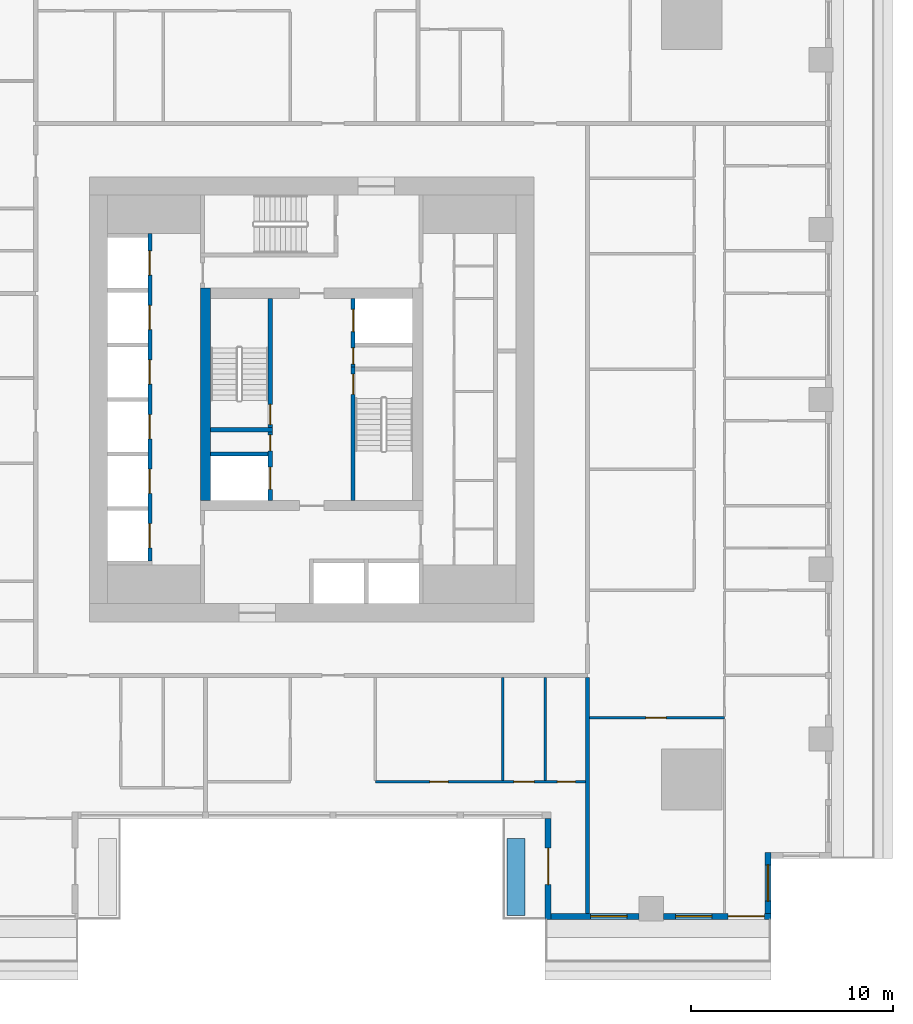
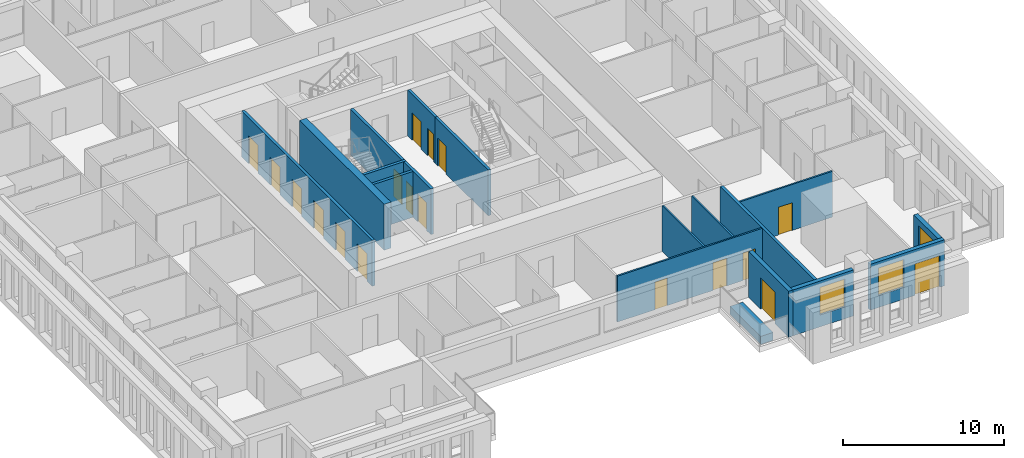
# One storey, part 4 of 15: 18 doors, 18 walls, 3 windows, 21 openings.
"""IFC4 building model written with IfcOpenShell, lengths in metres."""

import ifcopenshell
import ifcopenshell.guid

model = None  # the IFC model being written
_history = None  # IfcOwnerHistory: only IFC2X3 demands one
_inside = {}  # id of a spatial element -> (the spatial element, [elements in it])
_under = {}  # id of a project, library or spatial element -> (it, [spatial elements below it])
_declared = {}  # id of a project -> (the project, [libraries it declares])
_typed = {}  # id of a type object -> (the type object, [elements of that type])
_made_of = {}  # id of a material, layer set ... -> (it, [elements and type objects made of it])


def new_model(schema):
    """Start an empty IFC model of exactly this schema.

    Asked for "IFC4X3", IfcOpenShell would pick the latest addendum, in which some entities
    have other attributes; the version numbers below select the first issue.
    IFC2X3 requires an IfcOwnerHistory on every rooted entity: one is made here for all.
    """
    global model, _history
    if schema == "IFC4X3":
        model = ifcopenshell.file(schema_version=(4, 3, 0, 0))
    else:
        model = ifcopenshell.file(schema=schema)
    _inside.clear()
    _under.clear()
    _declared.clear()
    _typed.clear()
    _made_of.clear()
    _history = None
    if model.schema == "IFC2X3":
        org = make("IfcOrganization", Name="unknown")
        user = make(
            "IfcPersonAndOrganization",
            ThePerson=make("IfcPerson", FamilyName="unknown"),
            TheOrganization=org,
        )
        app = make(
            "IfcApplication",
            ApplicationDeveloper=org,
            Version="unknown",
            ApplicationFullName="unknown",
            ApplicationIdentifier="unknown",
        )
        _history = make(
            "IfcOwnerHistory",
            OwningUser=user,
            OwningApplication=app,
            ChangeAction="ADDED",
            CreationDate=0,
        )
    return model


def make(cls, **values):
    """One entity of the class cls with the attributes given. An attribute that is None is left unset."""
    return model.create_entity(
        cls, **{name: value for name, value in values.items() if value is not None}
    )


def rooted(cls, **values):
    """An entity with a GlobalId (a new one), such as an element, a storey or a relation."""
    return make(cls, GlobalId=ifcopenshell.guid.new(), OwnerHistory=_history, **values)


def si_unit(unit_type, name, prefix=None):
    """IfcSIUnit, for example si_unit("LENGTHUNIT", "METRE", prefix="MILLI")."""
    return make("IfcSIUnit", UnitType=unit_type, Prefix=prefix, Name=name)


def assignment(units):
    """IfcUnitAssignment: the units of a project."""
    return None if units is None else make("IfcUnitAssignment", Units=units)


def point(xyz):
    """IfcCartesianPoint."""
    return None if xyz is None else make("IfcCartesianPoint", Coordinates=xyz)


def direction(xyz):
    """IfcDirection."""
    return None if xyz is None else make("IfcDirection", DirectionRatios=xyz)


def frame(location, z_axis=None, x_axis=None):
    """IfcAxis2Placement3D, a coordinate frame: its origin and axes. An axis left out is left unset."""
    return make(
        "IfcAxis2Placement3D",
        Location=point(location),
        Axis=direction(z_axis),
        RefDirection=direction(x_axis),
    )


def frame_2d(location, x_axis=None):
    """IfcAxis2Placement2D, a coordinate frame in the plane: its origin and x axis."""
    return make(
        "IfcAxis2Placement2D", Location=point(location), RefDirection=direction(x_axis)
    )


def origin():
    """The frame at (0, 0, 0) with its axes left unset."""
    return frame((0.0, 0.0, 0.0))


def place(relative_to, where):
    """IfcLocalPlacement: puts the frame where relative to a parent placement (None: the world)."""
    return make(
        "IfcLocalPlacement", PlacementRelTo=relative_to, RelativePlacement=where
    )


def context(
    kind, dimensions, precision=None, world=None, true_north=None, identifier=None
):
    """IfcGeometricRepresentationContext, for example the 3D "Model" context."""
    return make(
        "IfcGeometricRepresentationContext",
        ContextIdentifier=identifier,
        ContextType=kind,
        CoordinateSpaceDimension=dimensions,
        Precision=precision,
        WorldCoordinateSystem=world,
        TrueNorth=true_north,
    )


def subcontext(parent, identifier, kind, view, scale=None):
    """IfcGeometricRepresentationSubContext, for example "Body" below "Model"."""
    return make(
        "IfcGeometricRepresentationSubContext",
        ContextIdentifier=identifier,
        ContextType=kind,
        ParentContext=parent,
        TargetScale=scale,
        TargetView=view,
    )


def project(units=None, contexts=None):
    """IfcProject with its units and contexts."""
    return rooted(
        "IfcProject",
        Name="project",
        RepresentationContexts=contexts,
        UnitsInContext=assignment(units),
    )


def spatial(cls, under=None, at=None, **own):
    """A site, building, storey or space (cls), placed at a placement, below another one or the project."""
    s = rooted(cls, ObjectPlacement=at, **own)
    if under is not None:
        _under.setdefault(under.id(), (under, []))[1].append(s)
    return s


def profile(cls, at=None, kind="AREA", **sizes):
    """A parametric profile (cls). Its sizes go by their IFC names, for example OverallWidth=200.0."""
    return make(cls, ProfileType=kind, Position=at, **sizes)


def rectangle(**sizes):
    """IfcRectangleProfileDef."""
    return profile("IfcRectangleProfileDef", **sizes)


def extrude(swept, where, along, depth):
    """IfcExtrudedAreaSolid: the profile swept, set in the frame where, extruded along a direction by depth."""
    return make(
        "IfcExtrudedAreaSolid",
        SweptArea=swept,
        Position=where,
        ExtrudedDirection=direction(along),
        Depth=depth,
    )


def shape(context_of_items, identifier, shape_type, items):
    """IfcShapeRepresentation: the items that make up one representation, for example the "Body"."""
    return make(
        "IfcShapeRepresentation",
        ContextOfItems=context_of_items,
        RepresentationIdentifier=identifier,
        RepresentationType=shape_type,
        Items=items,
    )


def material(Name=None, Category=None):
    """IfcMaterial."""
    return make("IfcMaterial", Name=Name, Category=Category)


def layer(
    of_material, thickness, ventilated=None, Name=None, Category=None, Priority=None
):
    """IfcMaterialLayer: one layer of a wall or slab, of a material (None: an air gap)."""
    return make(
        "IfcMaterialLayer",
        Material=of_material,
        LayerThickness=thickness,
        IsVentilated=ventilated,
        Name=Name,
        Category=Category,
        Priority=Priority,
    )


def layer_set(layers, Name=None):
    """IfcMaterialLayerSet."""
    return make("IfcMaterialLayerSet", MaterialLayers=layers, LayerSetName=Name)


def made_of(thing, what):
    """Note that an element or type object is made of a material, layer set ...; save() writes the relation."""
    if what is not None:
        _made_of.setdefault(what.id(), (what, []))[1].append(thing)
    return thing


def type_object(cls, material=None, **own):
    """A type object (cls), such as IfcWallType, which elements share."""
    return made_of(rooted(cls, **own), material)


def element(
    cls,
    number,
    at=None,
    inside=None,
    cuts=None,
    type_object=None,
    material=None,
    context=None,
    identifier="Body",
    shape_type=None,
    held_by="IfcProductDefinitionShape",
    body=None,
    shapes=None,
    **own,
):
    """One element of the class cls, such as IfcWall. Its Tag is "e" and its number.

    at: its placement. inside: the storey or other place that contains it. cuts: it is an
    opening in that element (IfcRelVoidsElement). A single representation is given by context,
    identifier, shape_type and body (its items); several are given by shapes. held_by: the class
    of the entity that holds the representations. save() writes the other relations.
    """
    e = rooted(cls, Tag="e%d" % number, ObjectPlacement=at, **own)
    if body is not None:
        shapes = [shape(context, identifier, shape_type, body)]
    if shapes is not None:
        e.Representation = make(held_by, Representations=shapes)
    if inside is not None:
        _inside.setdefault(inside.id(), (inside, []))[1].append(e)
    if cuts is not None:
        rooted(
            "IfcRelVoidsElement", RelatingBuildingElement=cuts, RelatedOpeningElement=e
        )
    if type_object is not None:
        _typed.setdefault(type_object.id(), (type_object, []))[1].append(e)
    return made_of(e, material)


def fill(opening, filler):
    """IfcRelFillsElement: the door or window that sits in an opening."""
    return rooted(
        "IfcRelFillsElement",
        RelatingOpeningElement=opening,
        RelatedBuildingElement=filler,
    )


def aggregate(whole, parts):
    """IfcRelAggregates: a whole, such as a stair, and the parts it consists of."""
    return rooted("IfcRelAggregates", RelatingObject=whole, RelatedObjects=parts)


def save(model, path):
    """Write the relations noted so far, then the file.

    IfcRelAggregates (storeys below a building ...), IfcRelContainedInSpatialStructure (elements
    in a storey), IfcRelDefinesByType, IfcRelAssociatesMaterial and IfcRelDeclares: one each for
    every whole, place, type object, material and project.
    """
    for whole, parts in _under.values():
        aggregate(whole, parts)
    for where, things in _inside.values():
        rooted(
            "IfcRelContainedInSpatialStructure",
            RelatedElements=things,
            RelatingStructure=where,
        )
    for kind, things in _typed.values():
        rooted("IfcRelDefinesByType", RelatedObjects=things, RelatingType=kind)
    for what, things in _made_of.values():
        rooted("IfcRelAssociatesMaterial", RelatedObjects=things, RelatingMaterial=what)
    for by, libraries in _declared.values():
        rooted("IfcRelDeclares", RelatingContext=by, RelatedDefinitions=libraries)
    model.write(path)


model = new_model("IFC4")

# Units and contexts
model_context = context("Model", 3, precision=1e-05, world=origin(), true_north=direction((0.0, 1.0)))
body_context = subcontext(model_context, "Body", "Model", "MODEL_VIEW")
ifc_project = project(units=[si_unit("LENGTHUNIT", "METRE"), si_unit("AREAUNIT", "SQUARE_METRE"), si_unit("VOLUMEUNIT", "CUBIC_METRE"), si_unit("PLANEANGLEUNIT", "RADIAN"), si_unit("MASSUNIT", "GRAM", prefix="KILO")], contexts=[model_context])

# Site, building, storey
site_placement = place(None, origin())
site = spatial("IfcSite", under=ifc_project, at=site_placement, CompositionType="ELEMENT")
building_placement = place(site_placement, origin())
building = spatial("IfcBuilding", under=site, at=building_placement, Name="Khepri Terraces", CompositionType="ELEMENT")
storey_placement = place(building_placement, frame((0.0, 0.0, 58.199951171875)))
storey = spatial("IfcBuildingStorey", under=building, at=storey_placement, Name="L13", CompositionType="ELEMENT", Elevation=58.199951171875)

# Wall, opening, door
ifc_material_1 = material(Name="Concrete C80/95", Category="concrete")
ifc_layer_1 = layer(ifc_material_1, 0.199951171875, Name="Concrete C80/95", Category="concrete")
ifc_layer_set_1 = layer_set([ifc_layer_1], Name="Concrete C80/95")
wall_type_1 = type_object("IfcWallType", Name="Core wall 200 C80/95", PredefinedType="SHEAR", material=ifc_layer_set_1)
wall_1_placement = place(storey_placement, frame((2.050048828125, -5.0, 0.0), z_axis=(0.0, 0.0, 1.0), x_axis=(0.0, 1.0, 0.0)))
wall_1 = element("IfcWall", 1, at=wall_1_placement, inside=storey, type_object=wall_type_1, Name="Core wall ST01 L13", PredefinedType="SHEAR", context=body_context, shape_type="SweptSolid", body=[
    extrude(rectangle(XDim=6.60009765625, YDim=0.199951171875, at=frame_2d((3.300048828125, 0.0))), origin(), (0.0, 0.0, 1.0), 3.47998046875),
])
opening_1_placement = place(wall_1_placement, frame((5.25, 0.0, 0.0)))
opening_1 = element("IfcOpeningElement", 2, at=opening_1_placement, cuts=wall_1, Name="Opening L13-C10", PredefinedType="OPENING", context=body_context, shape_type="SweptSolid", body=[
    extrude(rectangle(XDim=1.0, YDim=2.10009765625, at=frame_2d((0.5, 1.050048828125))), frame((0.0, 0.10986328125, 0.0), z_axis=(0.0, -1.0, 0.0), x_axis=(1.0, 0.0, 0.0)), (0.0, 0.0, 1.0), 0.219970703125),
])
ifc_material_2 = material(Name="Painted steel", Category="steel")
door_type_1 = type_object("IfcDoorType", Name="DR-CORE-STAIR-1000", OperationType="NOTDEFINED", PredefinedType="DOOR", material=ifc_material_2)
door_1_placement = place(opening_1_placement, frame((1.0, 0.0, 0.0), z_axis=(0.0, 0.0, 1.0), x_axis=(-1.0, 0.0, 0.0)))
door_1 = element("IfcDoor", 3, at=door_1_placement, inside=storey, type_object=door_type_1, Name="Stair door L13-C10", OperationType="SINGLE_SWING_LEFT", OverallHeight=2.10009765625, OverallWidth=1.0, PredefinedType="DOOR", context=body_context, shape_type="SweptSolid", body=[
    extrude(rectangle(XDim=1.0, YDim=2.10009765625, at=frame_2d((0.5, 1.050048828125))), frame((0.0, 0.02490234375, 0.0), z_axis=(0.0, -1.0, 0.0), x_axis=(1.0, 0.0, 0.0)), (0.0, 0.0, 1.0), 0.050048828125),
])
fill(opening_1, door_1)

# Wall
wall_2_placement = place(storey_placement, frame((-5.0, -1.5, 0.0), z_axis=(0.0, 0.0, 1.0), x_axis=(1.0, 0.0, 0.0)))
element("IfcWall", 4, at=wall_2_placement, inside=storey, type_object=wall_type_1, Name="Core wall ST02 L13", PredefinedType="SHEAR", context=body_context, shape_type="SweptSolid", body=[
    extrude(rectangle(XDim=3.050048828125, YDim=0.199951171875, at=frame_2d((1.52490234375, 0.0))), origin(), (0.0, 0.0, 1.0), 3.47998046875),
])

# Wall, opening, door
wall_3_placement = place(storey_placement, frame((-2.050048828125, -1.39990234375, 0.0), z_axis=(0.0, 0.0, 1.0), x_axis=(0.0, 1.0, 0.0)))
wall_3 = element("IfcWall", 5, at=wall_3_placement, inside=storey, type_object=wall_type_1, Name="Core wall ST03 L13", PredefinedType="SHEAR", context=body_context, shape_type="SweptSolid", body=[
    extrude(rectangle(XDim=6.39990234375, YDim=0.199951171875, at=frame_2d((3.199951171875, 0.0))), origin(), (0.0, 0.0, 1.0), 3.47998046875),
])
opening_2_placement = place(wall_3_placement, frame((0.14990234375, 0.0, 0.0)))
opening_2 = element("IfcOpeningElement", 6, at=opening_2_placement, cuts=wall_3, Name="Opening L13-C09", PredefinedType="OPENING", context=body_context, shape_type="SweptSolid", body=[
    extrude(rectangle(XDim=1.0, YDim=2.10009765625, at=frame_2d((0.5, 1.050048828125))), frame((0.0, 0.10986328125, 0.0), z_axis=(0.0, -1.0, 0.0), x_axis=(1.0, 0.0, 0.0)), (0.0, 0.0, 1.0), 0.219970703125),
])
door_2_placement = place(opening_2_placement, origin())
door_2 = element("IfcDoor", 7, at=door_2_placement, inside=storey, type_object=door_type_1, Name="Stair door L13-C09", OperationType="SINGLE_SWING_LEFT", OverallHeight=2.10009765625, OverallWidth=1.0, PredefinedType="DOOR", context=body_context, shape_type="SweptSolid", body=[
    extrude(rectangle(XDim=1.0, YDim=2.10009765625, at=frame_2d((0.5, 1.050048828125))), frame((0.0, 0.02490234375, 0.0), z_axis=(0.0, -1.0, 0.0), x_axis=(1.0, 0.0, 0.0)), (0.0, 0.0, 1.0), 0.050048828125),
])
fill(opening_2, door_2)

# Wall, openings, doors
wall_4_placement = place(storey_placement, frame((-8.0, -8.0, 0.0), z_axis=(0.0, 0.0, 1.0), x_axis=(0.0, 1.0, 0.0)))
wall_4 = element("IfcWall", 8, at=wall_4_placement, inside=storey, type_object=wall_type_1, Name="Core wall SH08 L13", PredefinedType="SHEAR", context=body_context, shape_type="SweptSolid", body=[
    extrude(rectangle(XDim=16.199951171875, YDim=0.199951171875, at=frame_2d((8.10009765625, 0.0))), origin(), (0.0, 0.0, 1.0), 3.47998046875),
])
opening_3_placement = place(wall_4_placement, frame((0.64990234375, 0.0, 0.0)))
opening_3 = element("IfcOpeningElement", 9, at=opening_3_placement, cuts=wall_4, Name="Opening L13-C01", PredefinedType="OPENING", context=body_context, shape_type="SweptSolid", body=[
    extrude(rectangle(XDim=1.199951171875, YDim=2.10009765625, at=frame_2d((0.60009765625, 1.050048828125))), frame((0.0, 0.10986328125, 0.0), z_axis=(0.0, -1.0, 0.0), x_axis=(1.0, 0.0, 0.0)), (0.0, 0.0, 1.0), 0.219970703125),
])
opening_4_placement = place(wall_4_placement, frame((3.35009765625, 0.0, 0.0)))
opening_4 = element("IfcOpeningElement", 10, at=opening_4_placement, cuts=wall_4, Name="Opening L13-C02", PredefinedType="OPENING", context=body_context, shape_type="SweptSolid", body=[
    extrude(rectangle(XDim=1.199951171875, YDim=2.10009765625, at=frame_2d((0.60009765625, 1.050048828125))), frame((0.0, 0.10986328125, 0.0), z_axis=(0.0, -1.0, 0.0), x_axis=(1.0, 0.0, 0.0)), (0.0, 0.0, 1.0), 0.219970703125),
])
opening_5_placement = place(wall_4_placement, frame((6.050048828125, 0.0, 0.0)))
opening_5 = element("IfcOpeningElement", 11, at=opening_5_placement, cuts=wall_4, Name="Opening L13-C03", PredefinedType="OPENING", context=body_context, shape_type="SweptSolid", body=[
    extrude(rectangle(XDim=1.199951171875, YDim=2.10009765625, at=frame_2d((0.60009765625, 1.050048828125))), frame((0.0, 0.10986328125, 0.0), z_axis=(0.0, -1.0, 0.0), x_axis=(1.0, 0.0, 0.0)), (0.0, 0.0, 1.0), 0.219970703125),
])
opening_6_placement = place(wall_4_placement, frame((8.75, 0.0, 0.0)))
opening_6 = element("IfcOpeningElement", 12, at=opening_6_placement, cuts=wall_4, Name="Opening L13-C04", PredefinedType="OPENING", context=body_context, shape_type="SweptSolid", body=[
    extrude(rectangle(XDim=1.199951171875, YDim=2.10009765625, at=frame_2d((0.60009765625, 1.050048828125))), frame((0.0, 0.10986328125, 0.0), z_axis=(0.0, -1.0, 0.0), x_axis=(1.0, 0.0, 0.0)), (0.0, 0.0, 1.0), 0.219970703125),
])
opening_7_placement = place(wall_4_placement, frame((11.449951171875, 0.0, 0.0)))
opening_7 = element("IfcOpeningElement", 13, at=opening_7_placement, cuts=wall_4, Name="Opening L13-C05", PredefinedType="OPENING", context=body_context, shape_type="SweptSolid", body=[
    extrude(rectangle(XDim=1.199951171875, YDim=2.10009765625, at=frame_2d((0.60009765625, 1.050048828125))), frame((0.0, 0.10986328125, 0.0), z_axis=(0.0, -1.0, 0.0), x_axis=(1.0, 0.0, 0.0)), (0.0, 0.0, 1.0), 0.219970703125),
])
opening_8_placement = place(wall_4_placement, frame((14.14990234375, 0.0, 0.0)))
opening_8 = element("IfcOpeningElement", 14, at=opening_8_placement, cuts=wall_4, Name="Opening L13-C06", PredefinedType="OPENING", context=body_context, shape_type="SweptSolid", body=[
    extrude(rectangle(XDim=1.199951171875, YDim=2.10009765625, at=frame_2d((0.60009765625, 1.050048828125))), frame((0.0, 0.10986328125, 0.0), z_axis=(0.0, -1.0, 0.0), x_axis=(1.0, 0.0, 0.0)), (0.0, 0.0, 1.0), 0.219970703125),
])
ifc_material_3 = material(Name="Stainless steel 304", Category="steel")
door_type_2 = type_object("IfcDoorType", Name="DR-CORE-LANDING-1200", OperationType="NOTDEFINED", PredefinedType="DOOR", material=ifc_material_3)
door_3_placement = place(opening_3_placement, origin())
door_3 = element("IfcDoor", 15, at=door_3_placement, inside=storey, type_object=door_type_2, Name="Lift landing door L13-C01", OperationType="SLIDING_TO_LEFT", OverallHeight=2.10009765625, OverallWidth=1.199951171875, PredefinedType="DOOR", context=body_context, shape_type="SweptSolid", body=[
    extrude(rectangle(XDim=1.199951171875, YDim=2.10009765625, at=frame_2d((0.60009765625, 1.050048828125))), frame((0.0, 0.02490234375, 0.0), z_axis=(0.0, -1.0, 0.0), x_axis=(1.0, 0.0, 0.0)), (0.0, 0.0, 1.0), 0.050048828125),
])
fill(opening_3, door_3)
door_4_placement = place(opening_4_placement, origin())
door_4 = element("IfcDoor", 16, at=door_4_placement, inside=storey, type_object=door_type_2, Name="Lift landing door L13-C02", OperationType="SLIDING_TO_LEFT", OverallHeight=2.10009765625, OverallWidth=1.199951171875, PredefinedType="DOOR", context=body_context, shape_type="SweptSolid", body=[
    extrude(rectangle(XDim=1.199951171875, YDim=2.10009765625, at=frame_2d((0.60009765625, 1.050048828125))), frame((0.0, 0.02490234375, 0.0), z_axis=(0.0, -1.0, 0.0), x_axis=(1.0, 0.0, 0.0)), (0.0, 0.0, 1.0), 0.050048828125),
])
fill(opening_4, door_4)
door_5_placement = place(opening_5_placement, origin())
door_5 = element("IfcDoor", 17, at=door_5_placement, inside=storey, type_object=door_type_2, Name="Lift landing door L13-C03", OperationType="SLIDING_TO_LEFT", OverallHeight=2.10009765625, OverallWidth=1.199951171875, PredefinedType="DOOR", context=body_context, shape_type="SweptSolid", body=[
    extrude(rectangle(XDim=1.199951171875, YDim=2.10009765625, at=frame_2d((0.60009765625, 1.050048828125))), frame((0.0, 0.02490234375, 0.0), z_axis=(0.0, -1.0, 0.0), x_axis=(1.0, 0.0, 0.0)), (0.0, 0.0, 1.0), 0.050048828125),
])
fill(opening_5, door_5)
door_6_placement = place(opening_6_placement, origin())
door_6 = element("IfcDoor", 18, at=door_6_placement, inside=storey, type_object=door_type_2, Name="Lift landing door L13-C04", OperationType="SLIDING_TO_LEFT", OverallHeight=2.10009765625, OverallWidth=1.199951171875, PredefinedType="DOOR", context=body_context, shape_type="SweptSolid", body=[
    extrude(rectangle(XDim=1.199951171875, YDim=2.10009765625, at=frame_2d((0.60009765625, 1.050048828125))), frame((0.0, 0.02490234375, 0.0), z_axis=(0.0, -1.0, 0.0), x_axis=(1.0, 0.0, 0.0)), (0.0, 0.0, 1.0), 0.050048828125),
])
fill(opening_6, door_6)
door_7_placement = place(opening_7_placement, origin())
door_7 = element("IfcDoor", 19, at=door_7_placement, inside=storey, type_object=door_type_2, Name="Lift landing door L13-C05", OperationType="SLIDING_TO_LEFT", OverallHeight=2.10009765625, OverallWidth=1.199951171875, PredefinedType="DOOR", context=body_context, shape_type="SweptSolid", body=[
    extrude(rectangle(XDim=1.199951171875, YDim=2.10009765625, at=frame_2d((0.60009765625, 1.050048828125))), frame((0.0, 0.02490234375, 0.0), z_axis=(0.0, -1.0, 0.0), x_axis=(1.0, 0.0, 0.0)), (0.0, 0.0, 1.0), 0.050048828125),
])
fill(opening_7, door_7)
door_8_placement = place(opening_8_placement, origin())
door_8 = element("IfcDoor", 20, at=door_8_placement, inside=storey, type_object=door_type_2, Name="Lift landing door L13-C06", OperationType="SLIDING_TO_LEFT", OverallHeight=2.10009765625, OverallWidth=1.199951171875, PredefinedType="DOOR", context=body_context, shape_type="SweptSolid", body=[
    extrude(rectangle(XDim=1.199951171875, YDim=2.10009765625, at=frame_2d((0.60009765625, 1.050048828125))), frame((0.0, 0.02490234375, 0.0), z_axis=(0.0, -1.0, 0.0), x_axis=(1.0, 0.0, 0.0)), (0.0, 0.0, 1.0), 0.050048828125),
])
fill(opening_8, door_8)

wall_5_placement = place(storey_placement, frame((-2.050048828125, -5.0, 0.0), z_axis=(0.0, 0.0, 1.0), x_axis=(0.0, 1.0, 0.0)))
wall_5 = element("IfcWall", 21, at=wall_5_placement, inside=storey, type_object=wall_type_1, Name="Core wall SH10 L13", PredefinedType="SHEAR", context=body_context, shape_type="SweptSolid", body=[
    extrude(rectangle(XDim=3.39990234375, YDim=0.199951171875, at=frame_2d((1.699951171875, 0.0))), origin(), (0.0, 0.0, 1.0), 3.47998046875),
])
opening_9_placement = place(wall_5_placement, frame((0.550048828125, 0.0, 0.0)))
opening_9 = element("IfcOpeningElement", 22, at=opening_9_placement, cuts=wall_5, Name="Opening L13-C08", PredefinedType="OPENING", context=body_context, shape_type="SweptSolid", body=[
    extrude(rectangle(XDim=1.10009765625, YDim=2.10009765625, at=frame_2d((0.550048828125, 1.050048828125))), frame((0.0, 0.10986328125, 0.0), z_axis=(0.0, -1.0, 0.0), x_axis=(1.0, 0.0, 0.0)), (0.0, 0.0, 1.0), 0.219970703125),
])
opening_10_placement = place(wall_5_placement, frame((2.449951171875, 0.0, 0.0)))
opening_10 = element("IfcOpeningElement", 23, at=opening_10_placement, cuts=wall_5, Name="Opening L13-C12", PredefinedType="OPENING", context=body_context, shape_type="SweptSolid", body=[
    extrude(rectangle(XDim=0.800048828125, YDim=2.10009765625, at=frame_2d((0.39990234375, 1.050048828125))), frame((0.0, 0.10986328125, 0.0), z_axis=(0.0, -1.0, 0.0), x_axis=(1.0, 0.0, 0.0)), (0.0, 0.0, 1.0), 0.219970703125),
])
door_type_3 = type_object("IfcDoorType", Name="DR-CORE-FF-LANDING-1100", OperationType="NOTDEFINED", PredefinedType="DOOR", material=ifc_material_3)
door_9_placement = place(opening_9_placement, origin())
door_9 = element("IfcDoor", 24, at=door_9_placement, inside=storey, type_object=door_type_3, Name="Firefighting lift landing door L13-C08", OperationType="SLIDING_TO_LEFT", OverallHeight=2.10009765625, OverallWidth=1.10009765625, PredefinedType="DOOR", context=body_context, shape_type="SweptSolid", body=[
    extrude(rectangle(XDim=1.10009765625, YDim=2.10009765625, at=frame_2d((0.550048828125, 1.050048828125))), frame((0.0, 0.02490234375, 0.0), z_axis=(0.0, -1.0, 0.0), x_axis=(1.0, 0.0, 0.0)), (0.0, 0.0, 1.0), 0.050048828125),
])
fill(opening_9, door_9)
door_type_4 = type_object("IfcDoorType", Name="DR-CORE-RISER-800", OperationType="NOTDEFINED", PredefinedType="DOOR", material=ifc_material_2)
door_10_placement = place(opening_10_placement, origin())
door_10 = element("IfcDoor", 25, at=door_10_placement, inside=storey, type_object=door_type_4, Name="Riser door L13-C12", OperationType="SINGLE_SWING_RIGHT", OverallHeight=2.10009765625, OverallWidth=0.800048828125, PredefinedType="DOOR", context=body_context, shape_type="SweptSolid", body=[
    extrude(rectangle(XDim=0.800048828125, YDim=2.10009765625, at=frame_2d((0.39990234375, 1.050048828125))), frame((0.0, 0.02490234375, 0.0), z_axis=(0.0, -1.0, 0.0), x_axis=(1.0, 0.0, 0.0)), (0.0, 0.0, 1.0), 0.050048828125),
])
fill(opening_10, door_10)

# Wall
wall_6_placement = place(storey_placement, frame((-5.0, -2.699951171875, 0.0), z_axis=(0.0, 0.0, 1.0), x_axis=(1.0, 0.0, 0.0)))
element("IfcWall", 26, at=wall_6_placement, inside=storey, type_object=wall_type_1, Name="Core wall SH13 L13", PredefinedType="SHEAR", context=body_context, shape_type="SweptSolid", body=[
    extrude(rectangle(XDim=2.85009765625, YDim=0.199951171875, at=frame_2d((1.425048828125, 0.0))), origin(), (0.0, 0.0, 1.0), 3.47998046875),
])

# Wall, openings, doors
wall_7_placement = place(storey_placement, frame((2.050048828125, 1.60009765625, 0.0), z_axis=(0.0, 0.0, 1.0), x_axis=(0.0, 1.0, 0.0)))
wall_7 = element("IfcWall", 27, at=wall_7_placement, inside=storey, type_object=wall_type_1, Name="Core wall SH15 L13", PredefinedType="SHEAR", context=body_context, shape_type="SweptSolid", body=[
    extrude(rectangle(XDim=3.39990234375, YDim=0.199951171875, at=frame_2d((1.699951171875, 0.0))), origin(), (0.0, 0.0, 1.0), 3.47998046875),
])
opening_11_placement = place(wall_7_placement, frame((1.75, 0.0, 0.0)))
opening_11 = element("IfcOpeningElement", 28, at=opening_11_placement, cuts=wall_7, Name="Opening L13-C07", PredefinedType="OPENING", context=body_context, shape_type="SweptSolid", body=[
    extrude(rectangle(XDim=1.10009765625, YDim=2.10009765625, at=frame_2d((0.550048828125, 1.050048828125))), frame((0.0, 0.10986328125, 0.0), z_axis=(0.0, -1.0, 0.0), x_axis=(1.0, 0.0, 0.0)), (0.0, 0.0, 1.0), 0.219970703125),
])
opening_12_placement = place(wall_7_placement, frame((0.14990234375, 0.0, 0.0)))
opening_12 = element("IfcOpeningElement", 29, at=opening_12_placement, cuts=wall_7, Name="Opening L13-C11", PredefinedType="OPENING", context=body_context, shape_type="SweptSolid", body=[
    extrude(rectangle(XDim=0.800048828125, YDim=2.10009765625, at=frame_2d((0.39990234375, 1.050048828125))), frame((0.0, 0.10986328125, 0.0), z_axis=(0.0, -1.0, 0.0), x_axis=(1.0, 0.0, 0.0)), (0.0, 0.0, 1.0), 0.219970703125),
])
door_11_placement = place(opening_11_placement, origin())
door_11 = element("IfcDoor", 30, at=door_11_placement, inside=storey, type_object=door_type_3, Name="Firefighting lift landing door L13-C07", OperationType="SLIDING_TO_LEFT", OverallHeight=2.10009765625, OverallWidth=1.10009765625, PredefinedType="DOOR", context=body_context, shape_type="SweptSolid", body=[
    extrude(rectangle(XDim=1.10009765625, YDim=2.10009765625, at=frame_2d((0.550048828125, 1.050048828125))), frame((0.0, 0.02490234375, 0.0), z_axis=(0.0, -1.0, 0.0), x_axis=(1.0, 0.0, 0.0)), (0.0, 0.0, 1.0), 0.050048828125),
])
fill(opening_11, door_11)
door_12_placement = place(opening_12_placement, frame((0.800048828125, 0.0, 0.0), z_axis=(0.0, 0.0, 1.0), x_axis=(-1.0, 0.0, 0.0)))
door_12 = element("IfcDoor", 31, at=door_12_placement, inside=storey, type_object=door_type_4, Name="Riser door L13-C11", OperationType="SINGLE_SWING_RIGHT", OverallHeight=2.10009765625, OverallWidth=0.800048828125, PredefinedType="DOOR", context=body_context, shape_type="SweptSolid", body=[
    extrude(rectangle(XDim=0.800048828125, YDim=2.10009765625, at=frame_2d((0.39990234375, 1.050048828125))), frame((0.0, 0.02490234375, 0.0), z_axis=(0.0, -1.0, 0.0), x_axis=(1.0, 0.0, 0.0)), (0.0, 0.0, 1.0), 0.050048828125),
])
fill(opening_12, door_12)

# Walls
ifc_layer_2 = layer(ifc_material_1, 0.5, Name="Concrete C80/95", Category="concrete")
ifc_layer_set_2 = layer_set([ifc_layer_2], Name="Concrete C80/95")
wall_type_2 = type_object("IfcWallType", Name="Core wall 500 C80/95", PredefinedType="SHEAR", material=ifc_layer_set_2)
wall_8_placement = place(storey_placement, frame((-5.25, -5.0, 0.0), z_axis=(0.0, 0.0, 1.0), x_axis=(0.0, 1.0, 0.0)))
element("IfcWall", 32, at=wall_8_placement, inside=storey, type_object=wall_type_2, Name="Core wall BX02 L13", PredefinedType="SHEAR", context=body_context, shape_type="SweptSolid", body=[
    extrude(rectangle(XDim=10.5, YDim=0.5, at=frame_2d((5.25, 0.0))), origin(), (0.0, 0.0, 1.0), 3.47998046875),
])
ifc_material_4 = material(Name="Fire-rated gypsum plasterboard partition, mineral wool")
ifc_layer_3 = layer(ifc_material_4, 0.199951171875, Name="Fire-rated gypsum plasterboard partition, mineral wool")
ifc_layer_set_3 = layer_set([ifc_layer_3], Name="Fire-rated gypsum plasterboard partition, mineral wool")
wall_type_3 = type_object("IfcWallType", Name="WL-CORR-200", PredefinedType="PARTITIONING", material=ifc_layer_set_3)
wall_9_placement = place(storey_placement, frame((13.64990234375, -25.419921875, 0.0), z_axis=(0.0, 0.0, 1.0), x_axis=(0.0, 1.0, 0.0)))
element("IfcWall", 33, at=wall_9_placement, inside=storey, type_object=wall_type_3, Name="Partition P-001 L13", PredefinedType="PARTITIONING", context=body_context, shape_type="SweptSolid", body=[
    extrude(rectangle(XDim=11.669921875, YDim=0.199951171875, at=frame_2d((5.8349609375, 0.0))), origin(), (0.0, 0.0, 1.0), 3.47998046875),
])

# Wall, opening, door
ifc_material_5 = material(Name="Precast concrete C50/60 warm stone", Category="masonry")
ifc_layer_4 = layer(ifc_material_5, 0.300048828125, Name="Precast concrete C50/60 warm stone", Category="masonry")
ifc_layer_set_4 = layer_set([ifc_layer_4], Name="Precast concrete C50/60 warm stone")
wall_type_4 = type_object("IfcWallType", Name="WL-EXT-PRECAST-300", PredefinedType="STANDARD", material=ifc_layer_set_4)
wall_10_placement = place(storey_placement, frame((11.699951171875, -20.719970703125, 0.0), z_axis=(0.0, 0.0, 1.0), x_axis=(0.0, -1.0, 0.0)))
wall_10 = element("IfcWall", 34, at=wall_10_placement, inside=storey, type_object=wall_type_4, Name="External wall L13 W", PredefinedType="STANDARD", context=body_context, shape_type="SweptSolid", body=[
    extrude(rectangle(XDim=5.0, YDim=0.300048828125, at=frame_2d((2.5, 0.0))), origin(), (0.0, 0.0, 1.0), 3.47998046875),
])
opening_13_placement = place(wall_10_placement, frame((1.47998046875, 0.0, 0.0)))
opening_13 = element("IfcOpeningElement", 35, at=opening_13_placement, cuts=wall_10, Name="Opening ED-L13-20", PredefinedType="OPENING", context=body_context, shape_type="SweptSolid", body=[
    extrude(rectangle(XDim=1.800048828125, YDim=2.39990234375, at=frame_2d((0.89990234375, 1.199951171875))), frame((0.0, 0.16015625, 0.0), z_axis=(0.0, -1.0, 0.0), x_axis=(1.0, 0.0, 0.0)), (0.0, 0.0, 1.0), 0.320068359375),
])
ifc_material_6 = material(Name="Anodised aluminium bronze glazed door", Category="aluminium")
door_type_5 = type_object("IfcDoorType", Name="DR-BAL-SLIDE-1800x2400", OperationType="NOTDEFINED", PredefinedType="DOOR", material=ifc_material_6)
door_13_placement = place(opening_13_placement, origin())
door_13 = element("IfcDoor", 36, at=door_13_placement, inside=storey, type_object=door_type_5, Name="Balcony door L13 W", OperationType="SLIDING_TO_RIGHT", OverallHeight=2.39990234375, OverallWidth=1.800048828125, PredefinedType="DOOR", context=body_context, shape_type="SweptSolid", body=[
    extrude(rectangle(XDim=1.800048828125, YDim=2.39990234375, at=frame_2d((0.89990234375, 1.199951171875))), frame((0.0, 0.02490234375, 0.0), z_axis=(0.0, -1.0, 0.0), x_axis=(1.0, 0.0, 0.0)), (0.0, 0.0, 1.0), 0.050048828125),
])
fill(opening_13, door_13)

# Wall, opening, window
wall_11_placement = place(storey_placement, frame((11.85009765625, -25.570068359375, 0.0), z_axis=(0.0, 0.0, 1.0), x_axis=(1.0, 0.0, 0.0)))
wall_11 = element("IfcWall", 37, at=wall_11_placement, inside=storey, type_object=wall_type_4, Name="External wall L13 S", PredefinedType="STANDARD", context=body_context, shape_type="SweptSolid", body=[
    extrude(rectangle(XDim=4.349853515625, YDim=0.300048828125, at=frame_2d((2.1748046875, 0.0))), origin(), (0.0, 0.0, 1.0), 3.47998046875),
])
opening_14_placement = place(wall_11_placement, frame((1.949951171875, 0.0, 0.89990234375)))
opening_14 = element("IfcOpeningElement", 38, at=opening_14_placement, cuts=wall_11, Name="Opening W1", PredefinedType="OPENING", context=body_context, shape_type="SweptSolid", body=[
    extrude(rectangle(XDim=1.800048828125, YDim=2.10009765625, at=frame_2d((0.89990234375, 1.050048828125))), frame((0.0, 0.16015625, 0.0), z_axis=(0.0, -1.0, 0.0), x_axis=(1.0, 0.0, 0.0)), (0.0, 0.0, 1.0), 0.320068359375),
])
ifc_material_7 = material(Name="Clear glass", Category="glass")
window_type = type_object("IfcWindowType", Name="WIN-RES-1800x2100", PartitioningType="SINGLE_PANEL", PredefinedType="WINDOW", material=ifc_material_7)
window_1_placement = place(opening_14_placement, origin())
window_1 = element("IfcWindow", 39, at=window_1_placement, inside=storey, type_object=window_type, Name="Window L13 S", OverallHeight=2.10009765625, OverallWidth=1.800048828125, PartitioningType="SINGLE_PANEL", PredefinedType="WINDOW", context=body_context, shape_type="SweptSolid", body=[
    extrude(rectangle(XDim=1.800048828125, YDim=2.10009765625, at=frame_2d((0.89990234375, 1.050048828125))), frame((0.0, 0.030029296875, 0.0), z_axis=(0.0, -1.0, 0.0), x_axis=(1.0, 0.0, 0.0)), (0.0, 0.0, 1.0), 0.06005859375),
])
fill(opening_14, window_1)

# Wall, openings, door, window
wall_12_placement = place(storey_placement, frame((17.39990234375, -25.570068359375, 0.0), z_axis=(0.0, 0.0, 1.0), x_axis=(1.0, 0.0, 0.0)))
wall_12 = element("IfcWall", 40, at=wall_12_placement, inside=storey, type_object=wall_type_4, Name="External wall L13 S", PredefinedType="STANDARD", context=body_context, shape_type="SweptSolid", body=[
    extrude(rectangle(XDim=5.320068359375, YDim=0.300048828125, at=frame_2d((2.66015625, 0.0))), origin(), (0.0, 0.0, 1.0), 3.47998046875),
])
opening_15_placement = place(wall_12_placement, frame((0.60009765625, 0.0, 0.89990234375)))
opening_15 = element("IfcOpeningElement", 41, at=opening_15_placement, cuts=wall_12, Name="Opening W1", PredefinedType="OPENING", context=body_context, shape_type="SweptSolid", body=[
    extrude(rectangle(XDim=1.800048828125, YDim=2.10009765625, at=frame_2d((0.89990234375, 1.050048828125))), frame((0.0, 0.16015625, 0.0), z_axis=(0.0, -1.0, 0.0), x_axis=(1.0, 0.0, 0.0)), (0.0, 0.0, 1.0), 0.320068359375),
])
opening_16_placement = place(wall_12_placement, frame((3.195068359375, 0.0, 0.0)))
opening_16 = element("IfcOpeningElement", 42, at=opening_16_placement, cuts=wall_12, Name="Opening ED-L13-21", PredefinedType="OPENING", context=body_context, shape_type="SweptSolid", body=[
    extrude(rectangle(XDim=1.800048828125, YDim=2.39990234375, at=frame_2d((0.89990234375, 1.199951171875))), frame((0.0, 0.16015625, 0.0), z_axis=(0.0, -1.0, 0.0), x_axis=(1.0, 0.0, 0.0)), (0.0, 0.0, 1.0), 0.320068359375),
])
door_14_placement = place(opening_16_placement, origin())
door_14 = element("IfcDoor", 43, at=door_14_placement, inside=storey, type_object=door_type_5, Name="Balcony door L13 S", OperationType="SLIDING_TO_RIGHT", OverallHeight=2.39990234375, OverallWidth=1.800048828125, PredefinedType="DOOR", context=body_context, shape_type="SweptSolid", body=[
    extrude(rectangle(XDim=1.800048828125, YDim=2.39990234375, at=frame_2d((0.89990234375, 1.199951171875))), frame((0.0, 0.02490234375, 0.0), z_axis=(0.0, -1.0, 0.0), x_axis=(1.0, 0.0, 0.0)), (0.0, 0.0, 1.0), 0.050048828125),
])
fill(opening_16, door_14)
window_2_placement = place(opening_15_placement, origin())
window_2 = element("IfcWindow", 44, at=window_2_placement, inside=storey, type_object=window_type, Name="Window L13 S", OverallHeight=2.10009765625, OverallWidth=1.800048828125, PartitioningType="SINGLE_PANEL", PredefinedType="WINDOW", context=body_context, shape_type="SweptSolid", body=[
    extrude(rectangle(XDim=1.800048828125, YDim=2.10009765625, at=frame_2d((0.89990234375, 1.050048828125))), frame((0.0, 0.030029296875, 0.0), z_axis=(0.0, -1.0, 0.0), x_axis=(1.0, 0.0, 0.0)), (0.0, 0.0, 1.0), 0.06005859375),
])
fill(opening_15, window_2)

# Wall, opening, window
wall_13_placement = place(storey_placement, frame((22.570068359375, -25.419921875, 0.0), z_axis=(0.0, 0.0, 1.0), x_axis=(0.0, 1.0, 0.0)))
wall_13 = element("IfcWall", 45, at=wall_13_placement, inside=storey, type_object=wall_type_4, Name="External wall L13 E", PredefinedType="STANDARD", context=body_context, shape_type="SweptSolid", body=[
    extrude(rectangle(XDim=3.0, YDim=0.300048828125, at=frame_2d((1.5, 0.0))), origin(), (0.0, 0.0, 1.0), 3.47998046875),
])
opening_17_placement = place(wall_13_placement, frame((0.60009765625, 0.0, 0.89990234375)))
opening_17 = element("IfcOpeningElement", 46, at=opening_17_placement, cuts=wall_13, Name="Opening W1", PredefinedType="OPENING", context=body_context, shape_type="SweptSolid", body=[
    extrude(rectangle(XDim=1.800048828125, YDim=2.10009765625, at=frame_2d((0.89990234375, 1.050048828125))), frame((0.0, 0.16015625, 0.0), z_axis=(0.0, -1.0, 0.0), x_axis=(1.0, 0.0, 0.0)), (0.0, 0.0, 1.0), 0.320068359375),
])
window_3_placement = place(opening_17_placement, origin())
window_3 = element("IfcWindow", 47, at=window_3_placement, inside=storey, type_object=window_type, Name="Window L13 E", OverallHeight=2.10009765625, OverallWidth=1.800048828125, PartitioningType="SINGLE_PANEL", PredefinedType="WINDOW", context=body_context, shape_type="SweptSolid", body=[
    extrude(rectangle(XDim=1.800048828125, YDim=2.10009765625, at=frame_2d((0.89990234375, 1.050048828125))), frame((0.0, 0.030029296875, 0.0), z_axis=(0.0, -1.0, 0.0), x_axis=(1.0, 0.0, 0.0)), (0.0, 0.0, 1.0), 0.06005859375),
])
fill(opening_17, window_3)

# Wall, openings, doors
ifc_material_8 = material(Name="Gypsum plasterboard partition")
ifc_layer_5 = layer(ifc_material_8, 0.1201171875, Name="Gypsum plasterboard partition")
ifc_layer_set_5 = layer_set([ifc_layer_5], Name="Gypsum plasterboard partition")
wall_type_5 = type_object("IfcWallType", Name="WL-PART-120", PredefinedType="PARTITIONING", material=ifc_layer_set_5)
wall_14_placement = place(storey_placement, frame((3.14990234375, -18.919921875, 0.0), z_axis=(0.0, 0.0, 1.0), x_axis=(1.0, 0.0, 0.0)))
wall_14 = element("IfcWall", 48, at=wall_14_placement, inside=storey, type_object=wall_type_5, Name="Partition P-011 L13", PredefinedType="PARTITIONING", context=body_context, shape_type="SweptSolid", body=[
    extrude(rectangle(XDim=10.400146484375, YDim=0.1201171875, at=frame_2d((5.2001953125, 0.0))), origin(), (0.0, 0.0, 1.0), 3.47998046875),
])
opening_18_placement = place(wall_14_placement, frame((2.699951171875, 0.0, 0.0)))
opening_18 = element("IfcOpeningElement", 49, at=opening_18_placement, cuts=wall_14, Name="Opening D3", PredefinedType="OPENING", context=body_context, shape_type="SweptSolid", body=[
    extrude(rectangle(XDim=0.89990234375, YDim=2.10009765625, at=frame_2d((0.449951171875, 1.050048828125))), frame((0.0, 0.070068359375, 0.0), z_axis=(0.0, -1.0, 0.0), x_axis=(1.0, 0.0, 0.0)), (0.0, 0.0, 1.0), 0.14013671875),
])
opening_19_placement = place(wall_14_placement, frame((6.85009765625, 0.0, 0.0)))
opening_19 = element("IfcOpeningElement", 50, at=opening_19_placement, cuts=wall_14, Name="Opening D2", PredefinedType="OPENING", context=body_context, shape_type="SweptSolid", body=[
    extrude(rectangle(XDim=1.0, YDim=2.10009765625, at=frame_2d((0.5, 1.050048828125))), frame((0.0, 0.070068359375, 0.0), z_axis=(0.0, -1.0, 0.0), x_axis=(1.0, 0.0, 0.0)), (0.0, 0.0, 1.0), 0.14013671875),
])
opening_20_placement = place(wall_14_placement, frame((9.0, 0.0, 0.0)))
opening_20 = element("IfcOpeningElement", 51, at=opening_20_placement, cuts=wall_14, Name="Opening D4", PredefinedType="OPENING", context=body_context, shape_type="SweptSolid", body=[
    extrude(rectangle(XDim=0.89990234375, YDim=2.10009765625, at=frame_2d((0.449951171875, 1.050048828125))), frame((0.0, 0.070068359375, 0.0), z_axis=(0.0, -1.0, 0.0), x_axis=(1.0, 0.0, 0.0)), (0.0, 0.0, 1.0), 0.14013671875),
])
ifc_material_9 = material(Name="Timber door leaf, living room door", Category="wood")
door_type_6 = type_object("IfcDoorType", Name="DR-INT-1000", OperationType="NOTDEFINED", PredefinedType="DOOR", material=ifc_material_9)
door_15_placement = place(opening_19_placement, origin())
door_15 = element("IfcDoor", 52, at=door_15_placement, inside=storey, type_object=door_type_6, Name="Door Family Room", OperationType="SINGLE_SWING_RIGHT", OverallHeight=2.10009765625, OverallWidth=1.0, PredefinedType="DOOR", context=body_context, shape_type="SweptSolid", body=[
    extrude(rectangle(XDim=1.0, YDim=2.10009765625, at=frame_2d((0.5, 1.050048828125))), frame((0.0, 0.02490234375, 0.0), z_axis=(0.0, -1.0, 0.0), x_axis=(1.0, 0.0, 0.0)), (0.0, 0.0, 1.0), 0.050048828125),
])
fill(opening_19, door_15)
ifc_material_10 = material(Name="Timber door leaf", Category="wood")
door_type_7 = type_object("IfcDoorType", Name="DR-INT-900", OperationType="NOTDEFINED", PredefinedType="DOOR", material=ifc_material_10)
door_16_placement = place(opening_18_placement, origin())
door_16 = element("IfcDoor", 53, at=door_16_placement, inside=storey, type_object=door_type_7, Name="Door Kitchen", OperationType="SINGLE_SWING_LEFT", OverallHeight=2.10009765625, OverallWidth=0.89990234375, PredefinedType="DOOR", context=body_context, shape_type="SweptSolid", body=[
    extrude(rectangle(XDim=0.89990234375, YDim=2.10009765625, at=frame_2d((0.449951171875, 1.050048828125))), frame((0.0, 0.02490234375, 0.0), z_axis=(0.0, -1.0, 0.0), x_axis=(1.0, 0.0, 0.0)), (0.0, 0.0, 1.0), 0.050048828125),
])
fill(opening_18, door_16)
ifc_material_11 = material(Name="Timber door leaf, moisture resistant", Category="wood")
door_type_8 = type_object("IfcDoorType", Name="DR-WET-900", OperationType="NOTDEFINED", PredefinedType="DOOR", material=ifc_material_11)
door_17_placement = place(opening_20_placement, origin())
door_17 = element("IfcDoor", 54, at=door_17_placement, inside=storey, type_object=door_type_8, Name="Door Guest Bathroom", OperationType="SINGLE_SWING_RIGHT", OverallHeight=2.10009765625, OverallWidth=0.89990234375, PredefinedType="DOOR", context=body_context, shape_type="SweptSolid", body=[
    extrude(rectangle(XDim=0.89990234375, YDim=2.10009765625, at=frame_2d((0.449951171875, 1.050048828125))), frame((0.0, 0.02490234375, 0.0), z_axis=(0.0, -1.0, 0.0), x_axis=(1.0, 0.0, 0.0)), (0.0, 0.0, 1.0), 0.050048828125),
])
fill(opening_20, door_17)

# Walls
for number, where, z_axis, x_axis, name in (
    (55, (9.449951171875, -18.860107421875, 0.0), (0.0, 0.0, 1.0), (0.0, 1.0, 0.0), "Partition P-014 L13"),
    (56, (11.550048828125, -18.860107421875, 0.0), (0.0, 0.0, 1.0), (0.0, 1.0, 0.0), "Partition P-015 L13"),
):
    element("IfcWall", number, at=place(storey_placement, frame(where, z_axis=z_axis, x_axis=x_axis)), inside=storey, type_object=wall_type_5, Name=name, PredefinedType="PARTITIONING", context=body_context, shape_type="SweptSolid", body=[
        extrude(rectangle(XDim=5.110107421875, YDim=0.1201171875, at=frame_2d((2.55517578125, 0.0))), origin(), (0.0, 0.0, 1.0), 3.47998046875),
    ])

# Wall, opening, door
wall_15_placement = place(storey_placement, frame((13.75, -15.75, 0.0), z_axis=(0.0, 0.0, 1.0), x_axis=(1.0, 0.0, 0.0)))
wall_15 = element("IfcWall", 57, at=wall_15_placement, inside=storey, type_object=wall_type_5, Name="Partition P-016 L13", PredefinedType="PARTITIONING", context=body_context, shape_type="SweptSolid", body=[
    extrude(rectangle(XDim=6.669921875, YDim=0.1201171875, at=frame_2d((3.3349609375, 0.0))), origin(), (0.0, 0.0, 1.0), 3.47998046875),
])
opening_21_placement = place(wall_15_placement, frame((2.784912109375, 0.0, 0.0)))
opening_21 = element("IfcOpeningElement", 58, at=opening_21_placement, cuts=wall_15, Name="Opening D2", PredefinedType="OPENING", context=body_context, shape_type="SweptSolid", body=[
    extrude(rectangle(XDim=1.0, YDim=2.10009765625, at=frame_2d((0.5, 1.050048828125))), frame((0.0, 0.070068359375, 0.0), z_axis=(0.0, -1.0, 0.0), x_axis=(1.0, 0.0, 0.0)), (0.0, 0.0, 1.0), 0.14013671875),
])
door_18_placement = place(opening_21_placement, frame((1.0, 0.0, 0.0), z_axis=(0.0, 0.0, 1.0), x_axis=(-1.0, 0.0, 0.0)))
door_18 = element("IfcDoor", 59, at=door_18_placement, inside=storey, type_object=door_type_6, Name="Door Family Room", OperationType="SINGLE_SWING_RIGHT", OverallHeight=2.10009765625, OverallWidth=1.0, PredefinedType="DOOR", context=body_context, shape_type="SweptSolid", body=[
    extrude(rectangle(XDim=1.0, YDim=2.10009765625, at=frame_2d((0.5, 1.050048828125))), frame((0.0, 0.02490234375, 0.0), z_axis=(0.0, -1.0, 0.0), x_axis=(1.0, 0.0, 0.0)), (0.0, 0.0, 1.0), 0.050048828125),
])
fill(opening_21, door_18)

# Wall
ifc_layer_6 = layer(ifc_material_5, 0.89990234375, Name="Precast concrete C50/60 warm stone", Category="masonry")
ifc_layer_set_6 = layer_set([ifc_layer_6], Name="Precast concrete C50/60 warm stone")
wall_type_6 = type_object("IfcWallType", Name="WL-PLANTER-900", PredefinedType="MOVABLE", material=ifc_layer_set_6)
wall_16_placement = place(storey_placement, frame((10.10009765625, -25.52001953125, 0.0), z_axis=(0.0, 0.0, 1.0), x_axis=(0.0, 1.0, 0.0)))
element("IfcWall", 60, at=wall_16_placement, inside=storey, type_object=wall_type_6, Name="Planter L13", PredefinedType="MOVABLE", context=body_context, shape_type="SweptSolid", body=[
    extrude(rectangle(XDim=3.800048828125, YDim=0.89990234375, at=frame_2d((1.89990234375, 0.0))), origin(), (0.0, 0.0, 1.0), 0.60009765625),
])

save(model, "model.ifc")
